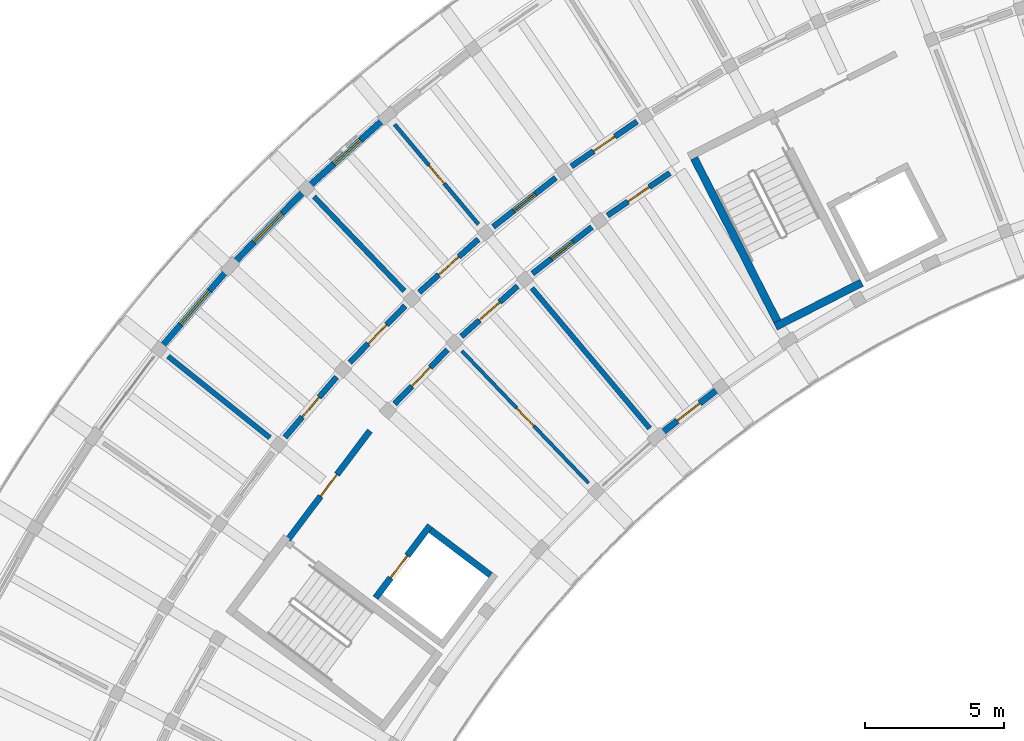
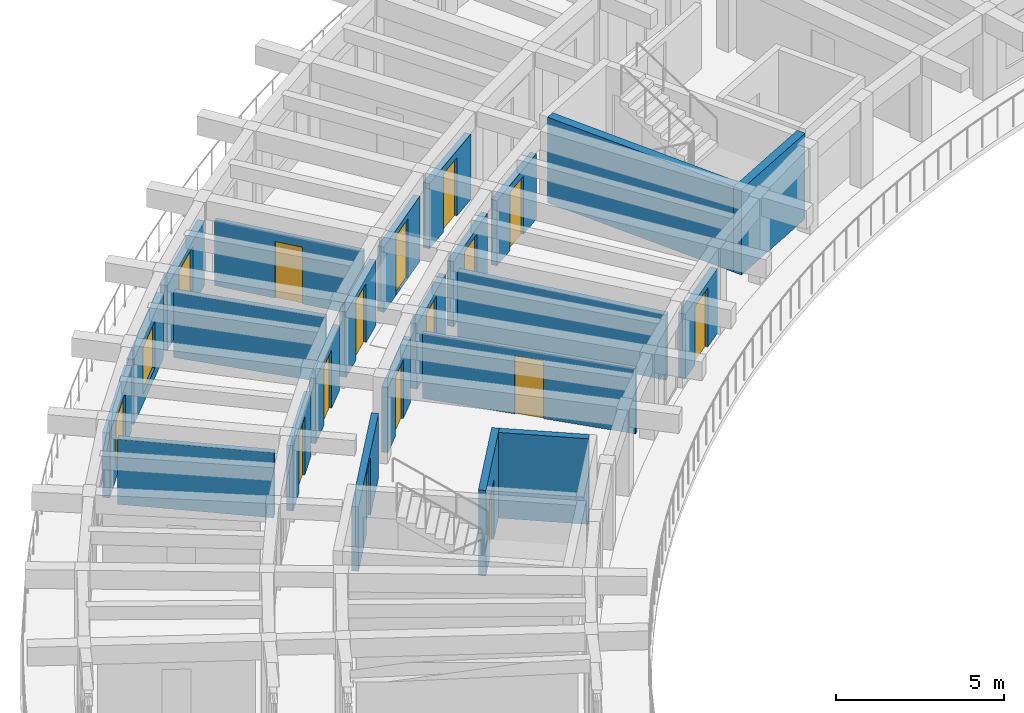
# One storey, part 19 of 32: 23 walls, 14 doors, 3 windows, 17 openings.
"""IFC4 building model written with IfcOpenShell, lengths in metres."""

from ifc_helpers import new_model, si_unit, direction, frame, frame_2d, origin, place, context, subcontext, project, spatial, rectangle, extrude, material, layer, layer_set, type_object, element, fill, save


model = new_model("IFC4")

# Units and contexts
model_context = context("Model", 3, precision=1e-05, world=origin(), true_north=direction((0.0, 1.0)))
body_context = subcontext(model_context, "Body", "Model", "MODEL_VIEW")
ifc_project = project(units=[si_unit("LENGTHUNIT", "METRE"), si_unit("AREAUNIT", "SQUARE_METRE"), si_unit("VOLUMEUNIT", "CUBIC_METRE"), si_unit("PLANEANGLEUNIT", "RADIAN"), si_unit("MASSUNIT", "GRAM", prefix="KILO")], contexts=[model_context])

# Site, building, storey
site_placement = place(None, origin())
site = spatial("IfcSite", under=ifc_project, at=site_placement, CompositionType="ELEMENT")
building_placement = place(site_placement, origin())
building = spatial("IfcBuilding", under=site, at=building_placement, Name="Tanwirah Colonnade Gardens", CompositionType="ELEMENT")
storey_placement = place(building_placement, frame((0.0, 0.0, 42.43994140625)))
storey = spatial("IfcBuildingStorey", under=building, at=storey_placement, Name="L12", CompositionType="ELEMENT", Elevation=42.43994140625)

# Wall, opening, door
ifc_material_1 = material(Name="Limestone architectural precast concrete C40/50", Category="masonry")
ifc_layer_1 = layer(ifc_material_1, 0.22509765625)
ifc_layer_set_1 = layer_set([ifc_layer_1], Name="Limestone architectural precast concrete C40/50")
wall_type_1 = type_object("IfcWallType", Name="EW-PC225", PredefinedType="SOLIDWALL", material=ifc_layer_set_1)
wall_1_placement = place(storey_placement, frame((38.580322265625, 95.93896484375, 0.0), z_axis=(0.0, 0.0, 1.0), x_axis=(-0.786819050397, -0.617183750541, 0.0)))
wall_1 = element("IfcWall", 1, at=wall_1_placement, inside=storey, type_object=wall_type_1, Name="Block A L12 IN Precast Facade Wall 8", PredefinedType="SOLIDWALL", context=body_context, shape_type="SweptSolid", body=[
    extrude(rectangle(XDim=2.5703125, YDim=0.22509765625, at=frame_2d((1.28515625, 0.0))), origin(), (0.0, 0.0, 1.0), 2.35498046875),
])
opening_1_placement = place(wall_1_placement, frame((0.775146484375, 0.0, 0.0)))
opening_1 = element("IfcOpeningElement", 2, at=opening_1_placement, cuts=wall_1, Name="Opening L12-ED060", PredefinedType="OPENING", context=body_context, shape_type="SweptSolid", body=[
    extrude(rectangle(XDim=1.02001953125, YDim=2.139892578125, at=frame_2d((0.510009765625, 1.06982421875))), frame((0.0, 0.12255859375, 0.0), z_axis=(0.0, -1.0, 0.0), x_axis=(1.0, 0.0, 0.0)), (0.0, 0.0, 1.0), 0.2451171875),
])
ifc_material_2 = material(Name="Bronze aluminium glazed balcony door", Category="aluminium")
door_type_1 = type_object("IfcDoorType", Name="ED-BAL102", OperationType="NOTDEFINED", PredefinedType="DOOR", material=ifc_material_2)
door_1_placement = place(opening_1_placement, origin())
door_1 = element("IfcDoor", 3, at=door_1_placement, inside=storey, type_object=door_type_1, Name="Balcony glazed door L12-ED060", OperationType="SINGLE_SWING_LEFT", OverallHeight=2.139892578125, OverallWidth=1.02001953125, PredefinedType="DOOR", context=body_context, shape_type="SweptSolid", body=[
    extrude(rectangle(XDim=1.02001953125, YDim=2.139892578125, at=frame_2d((0.510009765625, 1.06982421875))), frame((0.0, 0.02490234375, 0.0), z_axis=(0.0, -1.0, 0.0), x_axis=(1.0, 0.0, 0.0)), (0.0, 0.0, 1.0), 0.050048828125),
])
fill(opening_1, door_1)

# Wall, opening, window
wall_2_placement = place(storey_placement, frame((26.59912109375, 105.707763671875, 0.0), z_axis=(0.0, 0.0, 1.0), x_axis=(-0.744409820675, -0.667723010598, 0.0)))
wall_2 = element("IfcWall", 4, at=wall_2_placement, inside=storey, type_object=wall_type_1, Name="Block A L12 OUT Precast Facade Wall 9", PredefinedType="SOLIDWALL", context=body_context, shape_type="SweptSolid", body=[
    extrude(rectangle(XDim=3.565673828125, YDim=0.22509765625, at=frame_2d((1.78271484375, 0.0))), origin(), (0.0, 0.0, 1.0), 2.35498046875),
])
opening_2_placement = place(wall_2_placement, frame((1.1328125, 0.0, 0.550048828125)))
opening_2 = element("IfcOpeningElement", 5, at=opening_2_placement, cuts=wall_2, Name="Opening WIN-T04", PredefinedType="OPENING", context=body_context, shape_type="SweptSolid", body=[
    extrude(rectangle(XDim=1.300048828125, YDim=1.60009765625, at=frame_2d((0.64990234375, 0.800048828125))), frame((0.0, 0.12255859375, 0.0), z_axis=(0.0, -1.0, 0.0), x_axis=(1.0, 0.0, 0.0)), (0.0, 0.0, 1.0), 0.2451171875),
])
ifc_material_3 = material(Name="Thermally broken bronze aluminium and solar low-E double glazing", Category="aluminium")
window_type_1 = type_object("IfcWindowType", Name="WIN-T04", PartitioningType="DOUBLE_PANEL_VERTICAL", PredefinedType="WINDOW", material=ifc_material_3)
window_1_placement = place(opening_2_placement, origin())
window_1 = element("IfcWindow", 6, at=window_1_placement, inside=storey, type_object=window_type_1, Name="Facade window A-L12-OUT-09", OverallHeight=1.60009765625, OverallWidth=1.300048828125, PartitioningType="SINGLE_PANEL", PredefinedType="WINDOW", context=body_context, shape_type="SweptSolid", body=[
    extrude(rectangle(XDim=1.300048828125, YDim=1.60009765625, at=frame_2d((0.64990234375, 0.800048828125))), frame((0.0, 0.030029296875, 0.0), z_axis=(0.0, -1.0, 0.0), x_axis=(1.0, 0.0, 0.0)), (0.0, 0.0, 1.0), 0.06005859375),
])
fill(opening_2, window_1)

wall_3_placement = place(storey_placement, frame((23.663330078125, 103.057373046875, 0.0), z_axis=(0.0, 0.0, 1.0), x_axis=(-0.698843003546, -0.715275091412, 0.0)))
wall_3 = element("IfcWall", 7, at=wall_3_placement, inside=storey, type_object=wall_type_1, Name="Block A L12 OUT Precast Facade Wall 10", PredefinedType="SOLIDWALL", context=body_context, shape_type="SweptSolid", body=[
    extrude(rectangle(XDim=3.56591796875, YDim=0.22509765625, at=frame_2d((1.782958984375, 0.0))), origin(), (0.0, 0.0, 1.0), 2.35498046875),
])
opening_3_placement = place(wall_3_placement, frame((1.057861328125, 0.0, 0.35009765625)))
opening_3 = element("IfcOpeningElement", 8, at=opening_3_placement, cuts=wall_3, Name="Opening WIN-T07", PredefinedType="OPENING", context=body_context, shape_type="SweptSolid", body=[
    extrude(rectangle(XDim=1.449951171875, YDim=1.699951171875, at=frame_2d((0.72509765625, 0.85009765625))), frame((0.0, 0.12255859375, 0.0), z_axis=(0.0, -1.0, 0.0), x_axis=(1.0, 0.0, 0.0)), (0.0, 0.0, 1.0), 0.2451171875),
])
window_type_2 = type_object("IfcWindowType", Name="WIN-T07", PartitioningType="DOUBLE_PANEL_VERTICAL", PredefinedType="WINDOW", material=ifc_material_3)
window_2_placement = place(opening_3_placement, origin())
window_2 = element("IfcWindow", 9, at=window_2_placement, inside=storey, type_object=window_type_2, Name="Facade window A-L12-OUT-10", OverallHeight=1.699951171875, OverallWidth=1.449951171875, PartitioningType="SINGLE_PANEL", PredefinedType="WINDOW", context=body_context, shape_type="SweptSolid", body=[
    extrude(rectangle(XDim=1.449951171875, YDim=1.699951171875, at=frame_2d((0.72509765625, 0.85009765625))), frame((0.0, 0.030029296875, 0.0), z_axis=(0.0, -1.0, 0.0), x_axis=(1.0, 0.0, 0.0)), (0.0, 0.0, 1.0), 0.06005859375),
])
fill(opening_3, window_2)

wall_4_placement = place(storey_placement, frame((20.948974609375, 100.263427734375, 0.0), z_axis=(0.0, 0.0, 1.0), x_axis=(-0.650170917935, -0.759787981921, 0.0)))
wall_4 = element("IfcWall", 10, at=wall_4_placement, inside=storey, type_object=wall_type_1, Name="Block A L12 OUT Precast Facade Wall 11", PredefinedType="SOLIDWALL", context=body_context, shape_type="SweptSolid", body=[
    extrude(rectangle(XDim=3.565673828125, YDim=0.22509765625, at=frame_2d((1.78271484375, 0.0))), origin(), (0.0, 0.0, 1.0), 2.35498046875),
])
opening_4_placement = place(wall_4_placement, frame((0.98291015625, 0.0, 0.35009765625)))
opening_4 = element("IfcOpeningElement", 11, at=opening_4_placement, cuts=wall_4, Name="Opening WIN-T10", PredefinedType="OPENING", context=body_context, shape_type="SweptSolid", body=[
    extrude(rectangle(XDim=1.60009765625, YDim=1.75, at=frame_2d((0.800048828125, 0.875))), frame((0.0, 0.12255859375, 0.0), z_axis=(0.0, -1.0, 0.0), x_axis=(1.0, 0.0, 0.0)), (0.0, 0.0, 1.0), 0.2451171875),
])
window_type_3 = type_object("IfcWindowType", Name="WIN-T10", PartitioningType="DOUBLE_PANEL_VERTICAL", PredefinedType="WINDOW", material=ifc_material_3)
window_3_placement = place(opening_4_placement, origin())
window_3 = element("IfcWindow", 12, at=window_3_placement, inside=storey, type_object=window_type_3, Name="Facade window A-L12-OUT-11", OverallHeight=1.75, OverallWidth=1.60009765625, PartitioningType="SINGLE_PANEL", PredefinedType="WINDOW", context=body_context, shape_type="SweptSolid", body=[
    extrude(rectangle(XDim=1.60009765625, YDim=1.75, at=frame_2d((0.800048828125, 0.875))), frame((0.0, 0.030029296875, 0.0), z_axis=(0.0, -1.0, 0.0), x_axis=(1.0, 0.0, 0.0)), (0.0, 0.0, 1.0), 0.06005859375),
])
fill(opening_4, window_3)

# Wall, opening, door
ifc_material_4 = material(Name="Precast concrete C40/50", Category="concrete")
ifc_layer_2 = layer(ifc_material_4, 0.205078125)
ifc_layer_set_2 = layer_set([ifc_layer_2], Name="Precast concrete C40/50")
wall_type_2 = type_object("IfcWallType", Name="IW-CORR205", PredefinedType="PARTITIONING", material=ifc_layer_set_2)
wall_5_placement = place(storey_placement, frame((35.714111328125, 105.615966796875, 0.0), z_axis=(0.0, 0.0, 1.0), x_axis=(-0.825779671787, -0.563992848947, 0.0)))
wall_5 = element("IfcWall", 13, at=wall_5_placement, inside=storey, type_object=wall_type_2, Name="Block A L12 OUT Corridor Wall 7", PredefinedType="PARTITIONING", context=body_context, shape_type="SweptSolid", body=[
    extrude(rectangle(XDim=2.863037109375, YDim=0.205078125, at=frame_2d((1.431640625, 0.0))), origin(), (0.0, 0.0, 1.0), 2.3701171875),
])
opening_5_placement = place(wall_5_placement, frame((0.966552734375, 0.0, 0.0)))
opening_5 = element("IfcOpeningElement", 14, at=opening_5_placement, cuts=wall_5, Name="Opening L12-AD716", PredefinedType="OPENING", context=body_context, shape_type="SweptSolid", body=[
    extrude(rectangle(XDim=0.929931640625, YDim=2.1201171875, at=frame_2d((0.46484375, 1.06005859375))), frame((0.0, 0.112548828125, 0.0), z_axis=(0.0, -1.0, 0.0), x_axis=(1.0, 0.0, 0.0)), (0.0, 0.0, 1.0), 0.22509765625),
])
ifc_material_5 = material(Name="Solid oak fire-resisting apartment entrance door")
door_type_2 = type_object("IfcDoorType", Name="ID-FLT093", OperationType="NOTDEFINED", PredefinedType="DOOR", material=ifc_material_5)
door_2_placement = place(opening_5_placement, origin())
door_2 = element("IfcDoor", 15, at=door_2_placement, inside=storey, type_object=door_type_2, Name="Apartment corridor door L12-AD716", OperationType="SINGLE_SWING_RIGHT", OverallHeight=2.1201171875, OverallWidth=0.929931640625, PredefinedType="DOOR", context=body_context, shape_type="SweptSolid", body=[
    extrude(rectangle(XDim=0.929931640625, YDim=2.1201171875, at=frame_2d((0.46484375, 1.06005859375))), frame((0.0, 0.02490234375, 0.0), z_axis=(0.0, -1.0, 0.0), x_axis=(1.0, 0.0, 0.0)), (0.0, 0.0, 1.0), 0.050048828125),
])
fill(opening_5, door_2)

wall_6_placement = place(storey_placement, frame((36.89453125, 103.759521484375, 0.0), z_axis=(0.0, 0.0, 1.0), x_axis=(-0.825752009056, -0.56403334967, 0.0)))
wall_6 = element("IfcWall", 16, at=wall_6_placement, inside=storey, type_object=wall_type_2, Name="Block A L12 IN Corridor Wall 7", PredefinedType="PARTITIONING", context=body_context, shape_type="SweptSolid", body=[
    extrude(rectangle(XDim=2.71826171875, YDim=0.205078125, at=frame_2d((1.359130859375, 0.0))), origin(), (0.0, 0.0, 1.0), 2.3701171875),
])
opening_6_placement = place(wall_6_placement, frame((0.89404296875, 0.0, 0.0)))
opening_6 = element("IfcOpeningElement", 17, at=opening_6_placement, cuts=wall_6, Name="Opening L12-AD717", PredefinedType="OPENING", context=body_context, shape_type="SweptSolid", body=[
    extrude(rectangle(XDim=0.929931640625, YDim=2.1201171875, at=frame_2d((0.46484375, 1.06005859375))), frame((0.0, 0.112548828125, 0.0), z_axis=(0.0, -1.0, 0.0), x_axis=(1.0, 0.0, 0.0)), (0.0, 0.0, 1.0), 0.22509765625),
])
door_3_placement = place(opening_6_placement, origin())
door_3 = element("IfcDoor", 18, at=door_3_placement, inside=storey, type_object=door_type_2, Name="Apartment corridor door L12-AD717", OperationType="SINGLE_SWING_LEFT", OverallHeight=2.1201171875, OverallWidth=0.929931640625, PredefinedType="DOOR", context=body_context, shape_type="SweptSolid", body=[
    extrude(rectangle(XDim=0.929931640625, YDim=2.1201171875, at=frame_2d((0.46484375, 1.06005859375))), frame((0.0, 0.02490234375, 0.0), z_axis=(0.0, -1.0, 0.0), x_axis=(1.0, 0.0, 0.0)), (0.0, 0.0, 1.0), 0.050048828125),
])
fill(opening_6, door_3)

wall_7_placement = place(storey_placement, frame((32.785400390625, 103.587890625, 0.0), z_axis=(0.0, 0.0, 1.0), x_axis=(-0.786806323554, -0.617199975061, 0.0)))
wall_7 = element("IfcWall", 19, at=wall_7_placement, inside=storey, type_object=wall_type_2, Name="Block A L12 OUT Corridor Wall 8", PredefinedType="PARTITIONING", context=body_context, shape_type="SweptSolid", body=[
    extrude(rectangle(XDim=2.863037109375, YDim=0.205078125, at=frame_2d((1.431640625, 0.0))), origin(), (0.0, 0.0, 1.0), 2.3701171875),
])
opening_7_placement = place(wall_7_placement, frame((0.9365234375, 0.0, 0.0)))
opening_7 = element("IfcOpeningElement", 20, at=opening_7_placement, cuts=wall_7, Name="Opening L12-AD718", PredefinedType="OPENING", context=body_context, shape_type="SweptSolid", body=[
    extrude(rectangle(XDim=0.989990234375, YDim=2.159912109375, at=frame_2d((0.4951171875, 1.080078125))), frame((0.0, 0.112548828125, 0.0), z_axis=(0.0, -1.0, 0.0), x_axis=(1.0, 0.0, 0.0)), (0.0, 0.0, 1.0), 0.22509765625),
])
door_type_3 = type_object("IfcDoorType", Name="ID-FLT099", OperationType="NOTDEFINED", PredefinedType="DOOR", material=ifc_material_5)
door_4_placement = place(opening_7_placement, origin())
door_4 = element("IfcDoor", 21, at=door_4_placement, inside=storey, type_object=door_type_3, Name="Apartment corridor door L12-AD718", OperationType="SINGLE_SWING_LEFT", OverallHeight=2.159912109375, OverallWidth=0.989990234375, PredefinedType="DOOR", context=body_context, shape_type="SweptSolid", body=[
    extrude(rectangle(XDim=0.989990234375, YDim=2.159912109375, at=frame_2d((0.4951171875, 1.080078125))), frame((0.0, 0.02490234375, 0.0), z_axis=(0.0, -1.0, 0.0), x_axis=(1.0, 0.0, 0.0)), (0.0, 0.0, 1.0), 0.050048828125),
])
fill(opening_7, door_4)

wall_8_placement = place(storey_placement, frame((34.08544921875, 101.81298828125, 0.0), z_axis=(0.0, 0.0, 1.0), x_axis=(-0.786835457019, -0.617162833924, 0.0)))
wall_8 = element("IfcWall", 22, at=wall_8_placement, inside=storey, type_object=wall_type_2, Name="Block A L12 IN Corridor Wall 8", PredefinedType="PARTITIONING", context=body_context, shape_type="SweptSolid", body=[
    extrude(rectangle(XDim=2.718017578125, YDim=0.205078125, at=frame_2d((1.35888671875, 0.0))), origin(), (0.0, 0.0, 1.0), 2.3701171875),
])
opening_8_placement = place(wall_8_placement, frame((0.864013671875, 0.0, 0.0)))
opening_8 = element("IfcOpeningElement", 23, at=opening_8_placement, cuts=wall_8, Name="Opening L12-AD719", PredefinedType="OPENING", context=body_context, shape_type="SweptSolid", body=[
    extrude(rectangle(XDim=0.989990234375, YDim=2.159912109375, at=frame_2d((0.4951171875, 1.080078125))), frame((0.0, 0.112548828125, 0.0), z_axis=(0.0, -1.0, 0.0), x_axis=(1.0, 0.0, 0.0)), (0.0, 0.0, 1.0), 0.22509765625),
])
door_5_placement = place(opening_8_placement, origin())
door_5 = element("IfcDoor", 24, at=door_5_placement, inside=storey, type_object=door_type_3, Name="Apartment corridor door L12-AD719", OperationType="SINGLE_SWING_RIGHT", OverallHeight=2.159912109375, OverallWidth=0.989990234375, PredefinedType="DOOR", context=body_context, shape_type="SweptSolid", body=[
    extrude(rectangle(XDim=0.989990234375, YDim=2.159912109375, at=frame_2d((0.4951171875, 1.080078125))), frame((0.0, 0.02490234375, 0.0), z_axis=(0.0, -1.0, 0.0), x_axis=(1.0, 0.0, 0.0)), (0.0, 0.0, 1.0), 0.050048828125),
])
fill(opening_8, door_5)

wall_9_placement = place(storey_placement, frame((29.996826171875, 101.37109375, 0.0), z_axis=(0.0, 0.0, 1.0), x_axis=(-0.744433521088, -0.667696587291, 0.0)))
wall_9 = element("IfcWall", 25, at=wall_9_placement, inside=storey, type_object=wall_type_2, Name="Block A L12 OUT Corridor Wall 9", PredefinedType="PARTITIONING", context=body_context, shape_type="SweptSolid", body=[
    extrude(rectangle(XDim=2.86328125, YDim=0.205078125, at=frame_2d((1.431640625, 0.0))), origin(), (0.0, 0.0, 1.0), 2.3701171875),
])
opening_9_placement = place(wall_9_placement, frame((0.946533203125, 0.0, 0.0)))
opening_9 = element("IfcOpeningElement", 26, at=opening_9_placement, cuts=wall_9, Name="Opening L12-AD721", PredefinedType="OPENING", context=body_context, shape_type="SweptSolid", body=[
    extrude(rectangle(XDim=0.969970703125, YDim=2.14990234375, at=frame_2d((0.48486328125, 1.074951171875))), frame((0.0, 0.112548828125, 0.0), z_axis=(0.0, -1.0, 0.0), x_axis=(1.0, 0.0, 0.0)), (0.0, 0.0, 1.0), 0.22509765625),
])
door_type_4 = type_object("IfcDoorType", Name="ID-FLT097", OperationType="NOTDEFINED", PredefinedType="DOOR", material=ifc_material_5)
door_6_placement = place(opening_9_placement, origin())
door_6 = element("IfcDoor", 27, at=door_6_placement, inside=storey, type_object=door_type_4, Name="Apartment corridor door L12-AD721", OperationType="SINGLE_SWING_RIGHT", OverallHeight=2.14990234375, OverallWidth=0.969970703125, PredefinedType="DOOR", context=body_context, shape_type="SweptSolid", body=[
    extrude(rectangle(XDim=0.969970703125, YDim=2.14990234375, at=frame_2d((0.48486328125, 1.074951171875))), frame((0.0, 0.02490234375, 0.0), z_axis=(0.0, -1.0, 0.0), x_axis=(1.0, 0.0, 0.0)), (0.0, 0.0, 1.0), 0.050048828125),
])
fill(opening_9, door_6)

wall_10_placement = place(storey_placement, frame((31.410888671875, 99.685791015625, 0.0), z_axis=(0.0, 0.0, 1.0), x_axis=(-0.744418559135, -0.667713268413, 0.0)))
wall_10 = element("IfcWall", 28, at=wall_10_placement, inside=storey, type_object=wall_type_2, Name="Block A L12 IN Corridor Wall 9", PredefinedType="PARTITIONING", context=body_context, shape_type="SweptSolid", body=[
    extrude(rectangle(XDim=2.71826171875, YDim=0.205078125, at=frame_2d((1.359130859375, 0.0))), origin(), (0.0, 0.0, 1.0), 2.3701171875),
])
opening_10_placement = place(wall_10_placement, frame((0.8740234375, 0.0, 0.0)))
opening_10 = element("IfcOpeningElement", 29, at=opening_10_placement, cuts=wall_10, Name="Opening L12-AD722", PredefinedType="OPENING", context=body_context, shape_type="SweptSolid", body=[
    extrude(rectangle(XDim=0.969970703125, YDim=2.14990234375, at=frame_2d((0.48486328125, 1.074951171875))), frame((0.0, 0.112548828125, 0.0), z_axis=(0.0, -1.0, 0.0), x_axis=(1.0, 0.0, 0.0)), (0.0, 0.0, 1.0), 0.22509765625),
])
door_7_placement = place(opening_10_placement, origin())
door_7 = element("IfcDoor", 30, at=door_7_placement, inside=storey, type_object=door_type_4, Name="Apartment corridor door L12-AD722", OperationType="SINGLE_SWING_LEFT", OverallHeight=2.14990234375, OverallWidth=0.969970703125, PredefinedType="DOOR", context=body_context, shape_type="SweptSolid", body=[
    extrude(rectangle(XDim=0.969970703125, YDim=2.14990234375, at=frame_2d((0.48486328125, 1.074951171875))), frame((0.0, 0.02490234375, 0.0), z_axis=(0.0, -1.0, 0.0), x_axis=(1.0, 0.0, 0.0)), (0.0, 0.0, 1.0), 0.050048828125),
])
fill(opening_10, door_7)

wall_11_placement = place(storey_placement, frame((27.360107421875, 98.975341796875, 0.0), z_axis=(0.0, 0.0, 1.0), x_axis=(-0.698787219683, -0.715329589496, 0.0)))
wall_11 = element("IfcWall", 31, at=wall_11_placement, inside=storey, type_object=wall_type_2, Name="Block A L12 OUT Corridor Wall 10", PredefinedType="PARTITIONING", context=body_context, shape_type="SweptSolid", body=[
    extrude(rectangle(XDim=2.863037109375, YDim=0.205078125, at=frame_2d((1.431640625, 0.0))), origin(), (0.0, 0.0, 1.0), 2.3701171875),
])
opening_11_placement = place(wall_11_placement, frame((0.95654296875, 0.0, 0.0)))
opening_11 = element("IfcOpeningElement", 32, at=opening_11_placement, cuts=wall_11, Name="Opening L12-AD724", PredefinedType="OPENING", context=body_context, shape_type="SweptSolid", body=[
    extrude(rectangle(XDim=0.949951171875, YDim=2.1298828125, at=frame_2d((0.47509765625, 1.06494140625))), frame((0.0, 0.112548828125, 0.0), z_axis=(0.0, -1.0, 0.0), x_axis=(1.0, 0.0, 0.0)), (0.0, 0.0, 1.0), 0.22509765625),
])
door_type_5 = type_object("IfcDoorType", Name="ID-FLT095", OperationType="NOTDEFINED", PredefinedType="DOOR", material=ifc_material_5)
door_8_placement = place(opening_11_placement, origin())
door_8 = element("IfcDoor", 33, at=door_8_placement, inside=storey, type_object=door_type_5, Name="Apartment corridor door L12-AD724", OperationType="SINGLE_SWING_LEFT", OverallHeight=2.1298828125, OverallWidth=0.949951171875, PredefinedType="DOOR", context=body_context, shape_type="SweptSolid", body=[
    extrude(rectangle(XDim=0.949951171875, YDim=2.1298828125, at=frame_2d((0.47509765625, 1.06494140625))), frame((0.0, 0.02490234375, 0.0), z_axis=(0.0, -1.0, 0.0), x_axis=(1.0, 0.0, 0.0)), (0.0, 0.0, 1.0), 0.050048828125),
])
fill(opening_11, door_8)

wall_12_placement = place(storey_placement, frame((28.88232421875, 97.38671875, 0.0), z_axis=(0.0, 0.0, 1.0), x_axis=(-0.698840007829, -0.715278018296, 0.0)))
wall_12 = element("IfcWall", 34, at=wall_12_placement, inside=storey, type_object=wall_type_2, Name="Block A L12 IN Corridor Wall 10", PredefinedType="PARTITIONING", context=body_context, shape_type="SweptSolid", body=[
    extrude(rectangle(XDim=2.718017578125, YDim=0.205078125, at=frame_2d((1.35888671875, 0.0))), origin(), (0.0, 0.0, 1.0), 2.3701171875),
])
opening_12_placement = place(wall_12_placement, frame((0.884033203125, 0.0, 0.0)))
opening_12 = element("IfcOpeningElement", 35, at=opening_12_placement, cuts=wall_12, Name="Opening L12-AD725", PredefinedType="OPENING", context=body_context, shape_type="SweptSolid", body=[
    extrude(rectangle(XDim=0.949951171875, YDim=2.1298828125, at=frame_2d((0.47509765625, 1.06494140625))), frame((0.0, 0.112548828125, 0.0), z_axis=(0.0, -1.0, 0.0), x_axis=(1.0, 0.0, 0.0)), (0.0, 0.0, 1.0), 0.22509765625),
])
door_9_placement = place(opening_12_placement, origin())
door_9 = element("IfcDoor", 36, at=door_9_placement, inside=storey, type_object=door_type_5, Name="Apartment corridor door L12-AD725", OperationType="SINGLE_SWING_RIGHT", OverallHeight=2.1298828125, OverallWidth=0.949951171875, PredefinedType="DOOR", context=body_context, shape_type="SweptSolid", body=[
    extrude(rectangle(XDim=0.949951171875, YDim=2.1298828125, at=frame_2d((0.47509765625, 1.06494140625))), frame((0.0, 0.02490234375, 0.0), z_axis=(0.0, -1.0, 0.0), x_axis=(1.0, 0.0, 0.0)), (0.0, 0.0, 1.0), 0.050048828125),
])
fill(opening_12, door_9)

wall_13_placement = place(storey_placement, frame((24.88720703125, 96.4111328125, 0.0), z_axis=(0.0, 0.0, 1.0), x_axis=(-0.650194272684, -0.759767996015, 0.0)))
wall_13 = element("IfcWall", 37, at=wall_13_placement, inside=storey, type_object=wall_type_2, Name="Block A L12 OUT Corridor Wall 11", PredefinedType="PARTITIONING", context=body_context, shape_type="SweptSolid", body=[
    extrude(rectangle(XDim=2.863037109375, YDim=0.205078125, at=frame_2d((1.431640625, 0.0))), origin(), (0.0, 0.0, 1.0), 2.3701171875),
])
opening_13_placement = place(wall_13_placement, frame((0.966552734375, 0.0, 0.0)))
opening_13 = element("IfcOpeningElement", 38, at=opening_13_placement, cuts=wall_13, Name="Opening L12-AD726", PredefinedType="OPENING", context=body_context, shape_type="SweptSolid", body=[
    extrude(rectangle(XDim=0.929931640625, YDim=2.1201171875, at=frame_2d((0.46484375, 1.06005859375))), frame((0.0, 0.112548828125, 0.0), z_axis=(0.0, -1.0, 0.0), x_axis=(1.0, 0.0, 0.0)), (0.0, 0.0, 1.0), 0.22509765625),
])
door_10_placement = place(opening_13_placement, origin())
door_10 = element("IfcDoor", 39, at=door_10_placement, inside=storey, type_object=door_type_2, Name="Apartment corridor door L12-AD726", OperationType="SINGLE_SWING_RIGHT", OverallHeight=2.1201171875, OverallWidth=0.929931640625, PredefinedType="DOOR", context=body_context, shape_type="SweptSolid", body=[
    extrude(rectangle(XDim=0.929931640625, YDim=2.1201171875, at=frame_2d((0.46484375, 1.06005859375))), frame((0.0, 0.02490234375, 0.0), z_axis=(0.0, -1.0, 0.0), x_axis=(1.0, 0.0, 0.0)), (0.0, 0.0, 1.0), 0.050048828125),
])
fill(opening_13, door_10)

# Walls
ifc_layer_3 = layer(ifc_material_4, 0.18505859375)
ifc_layer_set_3 = layer_set([ifc_layer_3], Name="Precast concrete C40/50")
wall_type_3 = type_object("IfcWallType", Name="IW-DEM185", PredefinedType="PARTITIONING", material=ifc_layer_set_3)
wall_14_placement = place(storey_placement, frame((36.1708984375, 94.55712890625, 0.0), z_axis=(0.0, 0.0, 1.0), x_axis=(-0.642789470807, 0.766042881449, 0.0)))
element("IfcWall", 40, at=wall_14_placement, inside=storey, type_object=wall_type_3, Name="Block A L12 Inner Radial Partition 8", PredefinedType="PARTITIONING", context=body_context, shape_type="SweptSolid", body=[
    extrude(rectangle(XDim=6.60009765625, YDim=0.18505859375, at=frame_2d((3.300048828125, 0.0))), origin(), (0.0, 0.0, 1.0), 2.3701171875),
])
for number, where, z_axis, x_axis, name in (
    (41, (27.328125, 99.514404296875, 0.0), (0.0, 0.0, 1.0), (-0.691882799356, 0.722009828157, 0.0), "Block A L12 Radial Partition 9"),
    (42, (22.48583984375, 94.2197265625, 0.0), (0.0, 0.0, 1.0), (-0.780807994362, 0.624771058821, 0.0), "Block A L12 Radial Partition 11"),
):
    element("IfcWall", number, at=place(storey_placement, frame(where, z_axis=z_axis, x_axis=x_axis)), inside=storey, type_object=wall_type_3, Name=name, PredefinedType="PARTITIONING", context=body_context, shape_type="SweptSolid", body=[
        extrude(rectangle(XDim=4.7001953125, YDim=0.18505859375, at=frame_2d((2.35009765625, 0.0))), origin(), (0.0, 0.0, 1.0), 2.3701171875),
    ])

# Wall, opening, door
ifc_material_6 = material(Name="Autoclaved aerated masonry blockwork", Category="masonry")
ifc_layer_4 = layer(ifc_material_6, 0.219970703125)
ifc_layer_set_4 = layer_set([ifc_layer_4], Name="Autoclaved aerated masonry blockwork")
wall_type_4 = type_object("IfcWallType", Name="IW-FFL220", PredefinedType="PARTITIONING", material=ifc_layer_set_4)
wall_15_placement = place(storey_placement, frame((23.138916015625, 90.55517578125, 0.0), z_axis=(0.0, 0.0, 1.0), x_axis=(0.601792209296, 0.79865270101, 0.0)))
wall_15 = element("IfcWall", 43, at=wall_15_placement, inside=storey, type_object=wall_type_4, Name="CORE-A2 L12 Enclosed Lobby Fire Wall", PredefinedType="PARTITIONING", context=body_context, shape_type="SweptSolid", body=[
    extrude(rectangle(XDim=4.89990234375, YDim=0.219970703125, at=frame_2d((2.449951171875, 0.0))), origin(), (0.0, 0.0, 1.0), 2.340087890625),
])
opening_14_placement = place(wall_15_placement, frame((1.949951171875, 0.0, 0.0)))
opening_14 = element("IfcOpeningElement", 44, at=opening_14_placement, cuts=wall_15, Name="Opening L12-LD062", PredefinedType="OPENING", context=body_context, shape_type="SweptSolid", body=[
    extrude(rectangle(XDim=0.97998046875, YDim=2.139892578125, at=frame_2d((0.489990234375, 1.06982421875))), frame((0.0, 0.119873046875, 0.0), z_axis=(0.0, -1.0, 0.0), x_axis=(1.0, 0.0, 0.0)), (0.0, 0.0, 1.0), 0.239990234375),
])
ifc_material_7 = material(Name="Acoustic fire-resisting lobby door")
door_type_6 = type_object("IfcDoorType", Name="ID-FFL098", OperationType="NOTDEFINED", PredefinedType="DOOR", material=ifc_material_7)
door_11_placement = place(opening_14_placement, origin())
door_11 = element("IfcDoor", 45, at=door_11_placement, inside=storey, type_object=door_type_6, Name="CORE-A2 L12 Lobby Fire Door L12-LD062", OperationType="SINGLE_SWING_LEFT", OverallHeight=2.139892578125, OverallWidth=0.97998046875, PredefinedType="DOOR", context=body_context, shape_type="SweptSolid", body=[
    extrude(rectangle(XDim=0.97998046875, YDim=2.139892578125, at=frame_2d((0.489990234375, 1.06982421875))), frame((0.0, 0.02490234375, 0.0), z_axis=(0.0, -1.0, 0.0), x_axis=(1.0, 0.0, 0.0)), (0.0, 0.0, 1.0), 0.050048828125),
])
fill(opening_14, door_11)

ifc_material_8 = material(Name="Moisture-resistant gypsum stud partition")
ifc_layer_5 = layer(ifc_material_8, 0.125)
ifc_layer_set_5 = layer_set([ifc_layer_5], Name="Moisture-resistant gypsum stud partition")
wall_type_5 = type_object("IfcWallType", Name="IW-INT125", PredefinedType="PARTITIONING", material=ifc_layer_set_5)
wall_16_placement = place(storey_placement, frame((33.969970703125, 92.5830078125, 0.0), z_axis=(0.0, 0.0, 1.0), x_axis=(-0.691872422458, 0.722019771919, 0.0)))
wall_16 = element("IfcWall", 46, at=wall_16_placement, inside=storey, type_object=wall_type_5, Name="Block A L12 Inner Radial Partition 9", PredefinedType="PARTITIONING", context=body_context, shape_type="SweptSolid", body=[
    extrude(rectangle(XDim=6.60009765625, YDim=0.125, at=frame_2d((3.300048828125, 0.0))), origin(), (0.0, 0.0, 1.0), 2.3701171875),
])
opening_15_placement = place(wall_16_placement, frame((2.85498046875, 0.0, 0.0)))
opening_15 = element("IfcOpeningElement", 47, at=opening_15_placement, cuts=wall_16, Name="Opening L12-RD723", PredefinedType="OPENING", context=body_context, shape_type="SweptSolid", body=[
    extrude(rectangle(XDim=0.889892578125, YDim=2.10009765625, at=frame_2d((0.44482421875, 1.050048828125))), frame((0.0, 0.072509765625, 0.0), z_axis=(0.0, -1.0, 0.0), x_axis=(1.0, 0.0, 0.0)), (0.0, 0.0, 1.0), 0.14501953125),
])
ifc_material_9 = material(Name="Painted hardwood bedroom door", Category="wood")
door_type_7 = type_object("IfcDoorType", Name="ID-RM089", OperationType="NOTDEFINED", PredefinedType="DOOR", material=ifc_material_9)
door_12_placement = place(opening_15_placement, origin())
door_12 = element("IfcDoor", 48, at=door_12_placement, inside=storey, type_object=door_type_7, Name="Internal apartment door L12-RD723", OperationType="SINGLE_SWING_LEFT", OverallHeight=2.10009765625, OverallWidth=0.889892578125, PredefinedType="DOOR", context=body_context, shape_type="SweptSolid", body=[
    extrude(rectangle(XDim=0.889892578125, YDim=2.10009765625, at=frame_2d((0.44482421875, 1.050048828125))), frame((0.0, 0.02490234375, 0.0), z_axis=(0.0, -1.0, 0.0), x_axis=(1.0, 0.0, 0.0)), (0.0, 0.0, 1.0), 0.050048828125),
])
fill(opening_15, door_12)

ifc_material_10 = material(Name="Water-resistant acoustic plumbing partition")
ifc_layer_6 = layer(ifc_material_10, 0.139892578125)
ifc_layer_set_6 = layer_set([ifc_layer_6], Name="Water-resistant acoustic plumbing partition")
wall_type_6 = type_object("IfcWallType", Name="IW-WET140", PredefinedType="PLUMBINGWALL", material=ifc_layer_set_6)
wall_17_placement = place(storey_placement, frame((30.000244140625, 101.9111328125, 0.0), z_axis=(0.0, 0.0, 1.0), x_axis=(-0.642811926223, 0.766024038465, 0.0)))
wall_17 = element("IfcWall", 49, at=wall_17_placement, inside=storey, type_object=wall_type_6, Name="Block A L12 Radial Partition 8", PredefinedType="PLUMBINGWALL", context=body_context, shape_type="SweptSolid", body=[
    extrude(rectangle(XDim=4.699951171875, YDim=0.139892578125, at=frame_2d((2.35009765625, 0.0))), origin(), (0.0, 0.0, 1.0), 2.3701171875),
])
opening_16_placement = place(wall_17_placement, frame((1.919921875, 0.0, 0.0)))
opening_16 = element("IfcOpeningElement", 50, at=opening_16_placement, cuts=wall_17, Name="Opening L12-RD720", PredefinedType="OPENING", context=body_context, shape_type="SweptSolid", body=[
    extrude(rectangle(XDim=0.860107421875, YDim=2.06005859375, at=frame_2d((0.43017578125, 1.030029296875))), frame((0.0, 0.079833984375, 0.0), z_axis=(0.0, -1.0, 0.0), x_axis=(1.0, 0.0, 0.0)), (0.0, 0.0, 1.0), 0.159912109375),
])
ifc_material_11 = material(Name="Moisture-resistant bathroom door")
door_type_8 = type_object("IfcDoorType", Name="ID-WET086", OperationType="NOTDEFINED", PredefinedType="DOOR", material=ifc_material_11)
door_13_placement = place(opening_16_placement, origin())
door_13 = element("IfcDoor", 51, at=door_13_placement, inside=storey, type_object=door_type_8, Name="Internal apartment door L12-RD720", OperationType="SINGLE_SWING_LEFT", OverallHeight=2.06005859375, OverallWidth=0.860107421875, PredefinedType="DOOR", context=body_context, shape_type="SweptSolid", body=[
    extrude(rectangle(XDim=0.860107421875, YDim=2.06005859375, at=frame_2d((0.43017578125, 1.030029296875))), frame((0.0, 0.02490234375, 0.0), z_axis=(0.0, -1.0, 0.0), x_axis=(1.0, 0.0, 0.0)), (0.0, 0.0, 1.0), 0.050048828125),
])
fill(opening_16, door_13)

# Walls
ifc_material_12 = material(Name="Concrete C45/55", Category="concrete")
ifc_layer_7 = layer(ifc_material_12, 0.280029296875)
ifc_layer_set_7 = layer_set([ifc_layer_7], Name="Concrete C45/55")
wall_type_7 = type_object("IfcWallType", Name="SW-CORE280", PredefinedType="SHEAR", material=ifc_layer_set_7)
wall_18_placement = place(storey_placement, frame((37.7734375, 104.295654296875, 0.0), z_axis=(0.0, 0.0, 1.0), x_axis=(0.453992276384, -0.891005618941, 0.0)))
element("IfcWall", 52, at=wall_18_placement, inside=storey, type_object=wall_type_7, Name="CORE-A1 L12 Stair Shaft Shear Wall LEFT", PredefinedType="SHEAR", context=body_context, shape_type="SweptSolid", body=[
    extrude(rectangle(XDim=6.599853515625, YDim=0.280029296875, at=frame_2d((3.2998046875, 0.0))), origin(), (0.0, 0.0, 1.0), 3.110107421875),
])
wall_19_placement = place(storey_placement, frame((40.708740234375, 98.2265625, 0.0), z_axis=(0.0, 0.0, 1.0), x_axis=(0.891005763861, 0.453991991964, 0.0)))
element("IfcWall", 53, at=wall_19_placement, inside=storey, type_object=wall_type_7, Name="CORE-A1 L12 Stair Shaft Shear Wall FAR", PredefinedType="SHEAR", context=body_context, shape_type="SweptSolid", body=[
    extrude(rectangle(XDim=3.47998046875, YDim=0.280029296875, at=frame_2d((1.739990234375, 0.0))), origin(), (0.0, 0.0, 1.0), 3.110107421875),
])

# Wall, opening, door
ifc_layer_8 = layer(ifc_material_12, 0.22998046875)
ifc_layer_set_8 = layer_set([ifc_layer_8], Name="Concrete C45/55")
wall_type_8 = type_object("IfcWallType", Name="SW-LIFT230", PredefinedType="SHEAR", material=ifc_layer_set_8)
wall_20_placement = place(storey_placement, frame((26.2939453125, 88.452880859375, 0.0), z_axis=(0.0, 0.0, 1.0), x_axis=(0.601819781152, 0.798631924615, 0.0)))
wall_20 = element("IfcWall", 54, at=wall_20_placement, inside=storey, type_object=wall_type_8, Name="CORE-A2 L12 Lift Shaft Wall FRONT", PredefinedType="SHEAR", context=body_context, shape_type="SweptSolid", body=[
    extrude(rectangle(XDim=3.260009765625, YDim=0.22998046875, at=frame_2d((1.6298828125, 0.0))), origin(), (0.0, 0.0, 1.0), 3.110107421875),
])
opening_17_placement = place(wall_20_placement, frame((0.89990234375, 0.0, 0.0)))
opening_17 = element("IfcOpeningElement", 55, at=opening_17_placement, cuts=wall_20, Name="Opening L12-LD-PL-A2", PredefinedType="OPENING", context=body_context, shape_type="SweptSolid", body=[
    extrude(rectangle(XDim=1.0, YDim=2.14990234375, at=frame_2d((0.5, 1.074951171875))), frame((0.0, 0.125, 0.0), z_axis=(0.0, -1.0, 0.0), x_axis=(1.0, 0.0, 0.0)), (0.0, 0.0, 1.0), 0.25),
])
ifc_material_13 = material(Name="Bronze stainless steel sliding lift landing door", Category="steel")
door_type_9 = type_object("IfcDoorType", Name="LD-PS10", OperationType="DOUBLE_DOOR_SLIDING", PredefinedType="DOOR", material=ifc_material_13)
door_14_placement = place(opening_17_placement, origin())
door_14 = element("IfcDoor", 56, at=door_14_placement, inside=storey, type_object=door_type_9, Name="Lift PL-A2 L12 Sliding Landing Door", OperationType="DOUBLE_DOOR_SLIDING", OverallHeight=2.14990234375, OverallWidth=1.0, PredefinedType="DOOR", context=body_context, shape_type="SweptSolid", body=[
    extrude(rectangle(XDim=1.0, YDim=2.14990234375, at=frame_2d((0.5, 1.074951171875))), frame((0.0, 0.02490234375, 0.0), z_axis=(0.0, -1.0, 0.0), x_axis=(1.0, 0.0, 0.0)), (0.0, 0.0, 1.0), 0.050048828125),
])
fill(opening_17, door_14)

# Wall
wall_21_placement = place(storey_placement, frame((28.278564453125, 90.8955078125, 0.0), z_axis=(0.0, 0.0, 1.0), x_axis=(0.798608971494, -0.601850239387, 0.0)))
element("IfcWall", 57, at=wall_21_placement, inside=storey, type_object=wall_type_8, Name="CORE-A2 L12 Lift Shaft Wall SIDEB", PredefinedType="SHEAR", context=body_context, shape_type="SweptSolid", body=[
    extrude(rectangle(XDim=2.699951171875, YDim=0.22998046875, at=frame_2d((1.35009765625, 0.0))), origin(), (0.0, 0.0, 1.0), 3.110107421875),
])

save(model, "model.ifc")
